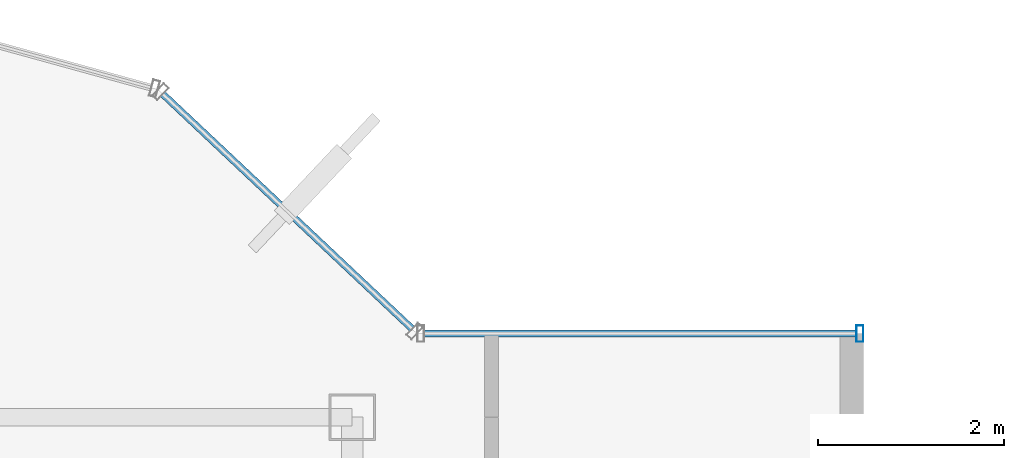
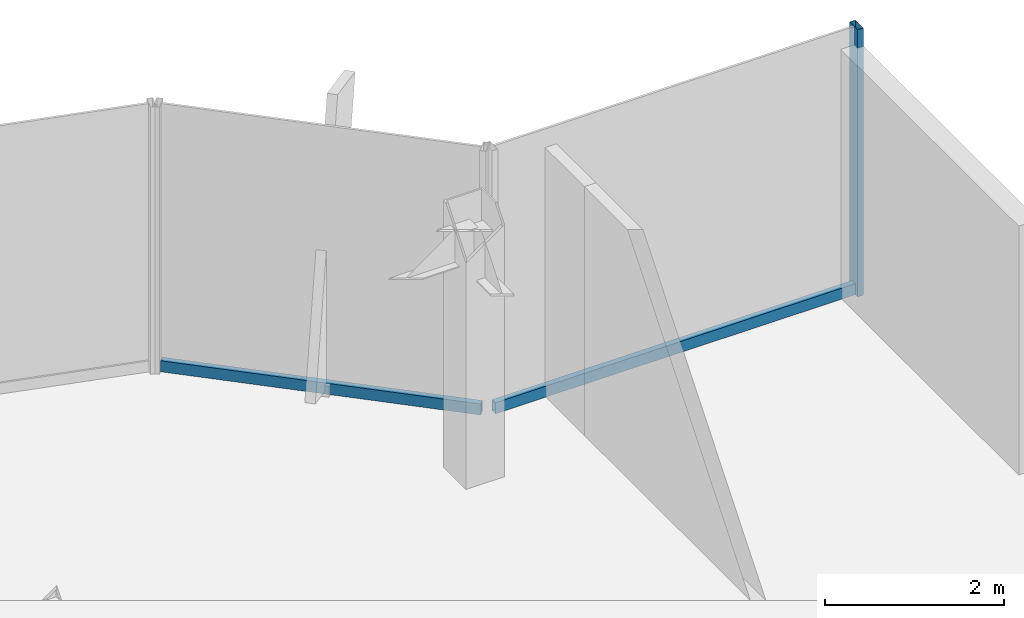
# One storey, part 15 of 22: 3 members, 2 elements without a shape of their own.
"""IFC4 building model written with IfcOpenShell, lengths in metres."""

import ifcopenshell
import ifcopenshell.guid

model = None  # the IFC model being written
_history = None  # IfcOwnerHistory: only IFC2X3 demands one
_inside = {}  # id of a spatial element -> (the spatial element, [elements in it])
_under = {}  # id of a project, library or spatial element -> (it, [spatial elements below it])
_declared = {}  # id of a project -> (the project, [libraries it declares])
_typed = {}  # id of a type object -> (the type object, [elements of that type])
_made_of = {}  # id of a material, layer set ... -> (it, [elements and type objects made of it])


def new_model(schema):
    """Start an empty IFC model of exactly this schema.

    Asked for "IFC4X3", IfcOpenShell would pick the latest addendum, in which some entities
    have other attributes; the version numbers below select the first issue.
    IFC2X3 requires an IfcOwnerHistory on every rooted entity: one is made here for all.
    """
    global model, _history
    if schema == "IFC4X3":
        model = ifcopenshell.file(schema_version=(4, 3, 0, 0))
    else:
        model = ifcopenshell.file(schema=schema)
    _inside.clear()
    _under.clear()
    _declared.clear()
    _typed.clear()
    _made_of.clear()
    _history = None
    if model.schema == "IFC2X3":
        org = make("IfcOrganization", Name="unknown")
        user = make(
            "IfcPersonAndOrganization",
            ThePerson=make("IfcPerson", FamilyName="unknown"),
            TheOrganization=org,
        )
        app = make(
            "IfcApplication",
            ApplicationDeveloper=org,
            Version="unknown",
            ApplicationFullName="unknown",
            ApplicationIdentifier="unknown",
        )
        _history = make(
            "IfcOwnerHistory",
            OwningUser=user,
            OwningApplication=app,
            ChangeAction="ADDED",
            CreationDate=0,
        )
    return model


def make(cls, **values):
    """One entity of the class cls with the attributes given. An attribute that is None is left unset."""
    return model.create_entity(
        cls, **{name: value for name, value in values.items() if value is not None}
    )


def rooted(cls, **values):
    """An entity with a GlobalId (a new one), such as an element, a storey or a relation."""
    return make(cls, GlobalId=ifcopenshell.guid.new(), OwnerHistory=_history, **values)


def si_unit(unit_type, name, prefix=None):
    """IfcSIUnit, for example si_unit("LENGTHUNIT", "METRE", prefix="MILLI")."""
    return make("IfcSIUnit", UnitType=unit_type, Prefix=prefix, Name=name)


def derived_unit(unit_type, elements):
    """IfcDerivedUnit: a product of units, each with its exponent."""
    return make(
        "IfcDerivedUnit",
        Elements=[
            make("IfcDerivedUnitElement", Unit=unit, Exponent=power)
            for unit, power in elements
        ],
        UnitType=unit_type,
    )


def assignment(units):
    """IfcUnitAssignment: the units of a project."""
    return None if units is None else make("IfcUnitAssignment", Units=units)


def point(xyz):
    """IfcCartesianPoint."""
    return None if xyz is None else make("IfcCartesianPoint", Coordinates=xyz)


def direction(xyz):
    """IfcDirection."""
    return None if xyz is None else make("IfcDirection", DirectionRatios=xyz)


def frame(location, z_axis=None, x_axis=None):
    """IfcAxis2Placement3D, a coordinate frame: its origin and axes. An axis left out is left unset."""
    return make(
        "IfcAxis2Placement3D",
        Location=point(location),
        Axis=direction(z_axis),
        RefDirection=direction(x_axis),
    )


def frame_2d(location, x_axis=None):
    """IfcAxis2Placement2D, a coordinate frame in the plane: its origin and x axis."""
    return make(
        "IfcAxis2Placement2D", Location=point(location), RefDirection=direction(x_axis)
    )


def origin():
    """The frame at (0, 0, 0) with its axes left unset."""
    return frame((0.0, 0.0, 0.0))


def origin_2d():
    """The frame at (0, 0) in the plane with its x axis left unset."""
    return frame_2d((0.0, 0.0))


def place(relative_to, where):
    """IfcLocalPlacement: puts the frame where relative to a parent placement (None: the world)."""
    return make(
        "IfcLocalPlacement", PlacementRelTo=relative_to, RelativePlacement=where
    )


def context(
    kind, dimensions, precision=None, world=None, true_north=None, identifier=None
):
    """IfcGeometricRepresentationContext, for example the 3D "Model" context."""
    return make(
        "IfcGeometricRepresentationContext",
        ContextIdentifier=identifier,
        ContextType=kind,
        CoordinateSpaceDimension=dimensions,
        Precision=precision,
        WorldCoordinateSystem=world,
        TrueNorth=true_north,
    )


def subcontext(parent, identifier, kind, view, scale=None):
    """IfcGeometricRepresentationSubContext, for example "Body" below "Model"."""
    return make(
        "IfcGeometricRepresentationSubContext",
        ContextIdentifier=identifier,
        ContextType=kind,
        ParentContext=parent,
        TargetScale=scale,
        TargetView=view,
    )


def project(units=None, contexts=None):
    """IfcProject with its units and contexts."""
    return rooted(
        "IfcProject",
        Name="project",
        RepresentationContexts=contexts,
        UnitsInContext=assignment(units),
    )


def spatial(cls, under=None, at=None, **own):
    """A site, building, storey or space (cls), placed at a placement, below another one or the project."""
    s = rooted(cls, ObjectPlacement=at, **own)
    if under is not None:
        _under.setdefault(under.id(), (under, []))[1].append(s)
    return s


def profile(cls, at=None, kind="AREA", **sizes):
    """A parametric profile (cls). Its sizes go by their IFC names, for example OverallWidth=200.0."""
    return make(cls, ProfileType=kind, Position=at, **sizes)


def hollow_rectangle(**sizes):
    """IfcRectangleHollowProfileDef."""
    return profile("IfcRectangleHollowProfileDef", **sizes)


def extrude(swept, where, along, depth):
    """IfcExtrudedAreaSolid: the profile swept, set in the frame where, extruded along a direction by depth."""
    return make(
        "IfcExtrudedAreaSolid",
        SweptArea=swept,
        Position=where,
        ExtrudedDirection=direction(along),
        Depth=depth,
    )


def shape(context_of_items, identifier, shape_type, items):
    """IfcShapeRepresentation: the items that make up one representation, for example the "Body"."""
    return make(
        "IfcShapeRepresentation",
        ContextOfItems=context_of_items,
        RepresentationIdentifier=identifier,
        RepresentationType=shape_type,
        Items=items,
    )


def source(mapping_origin, context_of_items, identifier, shape_type, items):
    """IfcRepresentationMap: a shape defined once, which mapped items show again and again."""
    return make(
        "IfcRepresentationMap",
        MappingOrigin=mapping_origin,
        MappedRepresentation=shape(context_of_items, identifier, shape_type, items),
    )


def transform(
    local_origin,
    x_axis=None,
    y_axis=None,
    z_axis=None,
    scale=None,
    scale2=None,
    scale3=None,
    uniform=True,
):
    """IfcCartesianTransformationOperator3D, or its non-uniform kind. x_axis, y_axis, z_axis: its Axis1, 2, 3."""
    if uniform:
        return make(
            "IfcCartesianTransformationOperator3D",
            Axis1=direction(x_axis),
            Axis2=direction(y_axis),
            LocalOrigin=point(local_origin),
            Scale=scale,
            Axis3=direction(z_axis),
        )
    return make(
        "IfcCartesianTransformationOperator3DnonUniform",
        Axis1=direction(x_axis),
        Axis2=direction(y_axis),
        LocalOrigin=point(local_origin),
        Scale=scale,
        Axis3=direction(z_axis),
        Scale2=scale2,
        Scale3=scale3,
    )


def mapped(mapping_source, mapping_target):
    """IfcMappedItem: shows the shape of a source again, moved by a transform."""
    return make(
        "IfcMappedItem", MappingSource=mapping_source, MappingTarget=mapping_target
    )


def material(Name=None, Category=None):
    """IfcMaterial."""
    return make("IfcMaterial", Name=Name, Category=Category)


def material_profile(
    of_material, cross_section, Name=None, Category=None, Priority=None
):
    """IfcMaterialProfile: a cross section and its material."""
    return make(
        "IfcMaterialProfile",
        Name=Name,
        Material=of_material,
        Profile=cross_section,
        Priority=Priority,
        Category=Category,
    )


def profile_set(profiles, Name=None, composite=None):
    """IfcMaterialProfileSet."""
    return make(
        "IfcMaterialProfileSet",
        Name=Name,
        MaterialProfiles=profiles,
        CompositeProfile=composite,
    )


def made_of(thing, what):
    """Note that an element or type object is made of a material, layer set ...; save() writes the relation."""
    if what is not None:
        _made_of.setdefault(what.id(), (what, []))[1].append(thing)
    return thing


def type_object(cls, material=None, **own):
    """A type object (cls), such as IfcWallType, which elements share."""
    return made_of(rooted(cls, **own), material)


def element(
    cls,
    number,
    at=None,
    inside=None,
    cuts=None,
    type_object=None,
    material=None,
    context=None,
    identifier="Body",
    shape_type=None,
    held_by="IfcProductDefinitionShape",
    body=None,
    shapes=None,
    **own,
):
    """One element of the class cls, such as IfcWall. Its Tag is "e" and its number.

    at: its placement. inside: the storey or other place that contains it. cuts: it is an
    opening in that element (IfcRelVoidsElement). A single representation is given by context,
    identifier, shape_type and body (its items); several are given by shapes. held_by: the class
    of the entity that holds the representations. save() writes the other relations.
    """
    e = rooted(cls, Tag="e%d" % number, ObjectPlacement=at, **own)
    if body is not None:
        shapes = [shape(context, identifier, shape_type, body)]
    if shapes is not None:
        e.Representation = make(held_by, Representations=shapes)
    if inside is not None:
        _inside.setdefault(inside.id(), (inside, []))[1].append(e)
    if cuts is not None:
        rooted(
            "IfcRelVoidsElement", RelatingBuildingElement=cuts, RelatedOpeningElement=e
        )
    if type_object is not None:
        _typed.setdefault(type_object.id(), (type_object, []))[1].append(e)
    return made_of(e, material)


def aggregate(whole, parts):
    """IfcRelAggregates: a whole, such as a stair, and the parts it consists of."""
    return rooted("IfcRelAggregates", RelatingObject=whole, RelatedObjects=parts)


def save(model, path):
    """Write the relations noted so far, then the file.

    IfcRelAggregates (storeys below a building ...), IfcRelContainedInSpatialStructure (elements
    in a storey), IfcRelDefinesByType, IfcRelAssociatesMaterial and IfcRelDeclares: one each for
    every whole, place, type object, material and project.
    """
    for whole, parts in _under.values():
        aggregate(whole, parts)
    for where, things in _inside.values():
        rooted(
            "IfcRelContainedInSpatialStructure",
            RelatedElements=things,
            RelatingStructure=where,
        )
    for kind, things in _typed.values():
        rooted("IfcRelDefinesByType", RelatedObjects=things, RelatingType=kind)
    for what, things in _made_of.values():
        rooted("IfcRelAssociatesMaterial", RelatedObjects=things, RelatingMaterial=what)
    for by, libraries in _declared.values():
        rooted("IfcRelDeclares", RelatingContext=by, RelatedDefinitions=libraries)
    model.write(path)


model = new_model("IFC4")

# Units and contexts
model_context = context("Model", 3, precision=1e-05, world=origin(), true_north=direction((0.0, 1.0)))
body_context = subcontext(model_context, "Body", "Model", "MODEL_VIEW")
ifc_project = project(units=[si_unit("LENGTHUNIT", "METRE"), si_unit("AREAUNIT", "SQUARE_METRE"), si_unit("VOLUMEUNIT", "CUBIC_METRE"), si_unit("PLANEANGLEUNIT", "RADIAN"), si_unit("MASSUNIT", "GRAM", prefix="KILO"), derived_unit("THERMALTRANSMITTANCEUNIT", [(si_unit("POWERUNIT", "WATT"), 1), (si_unit("LENGTHUNIT", "METRE"), -2), (si_unit("THERMODYNAMICTEMPERATUREUNIT", "KELVIN"), -1)])], contexts=[model_context])

# Site, building, storey
site_placement = place(None, origin())
site = spatial("IfcSite", under=ifc_project, at=site_placement, CompositionType="ELEMENT")
building_placement = place(site_placement, origin())
building = spatial("IfcBuilding", under=site, at=building_placement, Name="Skarnbrae Concourse Arena and Tower", CompositionType="ELEMENT")
storey_placement = place(building_placement, frame((0.0, 0.0, 277.050048828125)))
storey = spatial("IfcBuildingStorey", under=building, at=storey_placement, Name="L72", CompositionType="ELEMENT", Elevation=277.050048828125)

# Curtain wall, members
ifc_material = material(Name="Bronze anodised aluminium 6063-T6", Category="aluminium")
curtain_wall_type = type_object("IfcCurtainWallType", Name="CW-SYS-05-HIGHZONE", PredefinedType="USERDEFINED", material=ifc_material)
curtain_wall_1_placement = place(storey_placement, origin())
curtain_wall_1 = element("IfcCurtainWall", 1, at=curtain_wall_1_placement, inside=storey, type_object=curtain_wall_type, Name="L72 Unitised curtain wall CW-L72-E07", ObjectType="UNITISED CURTAIN WALL", PredefinedType="USERDEFINED")
ifc_material_profile_1 = material_profile(ifc_material, hollow_rectangle(XDim=0.074951171875, YDim=0.179931640625, WallThickness=0.00390625, at=origin_2d()), Name="ALU-MULL-75X180")
ifc_profile_set_1 = profile_set([ifc_material_profile_1], Name="Bronze anodised aluminium 6063-T6")
member_type_1 = type_object("IfcMemberType", Name="CWM-CW-05", PredefinedType="MULLION", material=ifc_profile_set_1)
shared_shape_1 = source(origin(), body_context, "Body", "SweptSolid", [
    extrude(hollow_rectangle(XDim=0.074951171875, YDim=0.179931640625, WallThickness=0.00390625, at=origin_2d()), origin(), (0.0, 0.0, 1.0), 3.64990234375),
])
member_1_placement = place(storey_placement, frame((38.96240234375, 35.300048828125, 0.0), z_axis=(0.0, 0.0, 1.0), x_axis=(-1.0, 0.0, 0.0)))
member_1 = element("IfcMember", 2, at=member_1_placement, type_object=member_type_1, Name="CW-L72-E07 Mullion 1", PredefinedType="MULLION", context=body_context, shape_type="MappedRepresentation", body=[
    mapped(shared_shape_1, transform((0.0, 0.0, 0.0))),
])
ifc_material_profile_2 = material_profile(ifc_material, hollow_rectangle(XDim=0.074951171875, YDim=0.14990234375, WallThickness=0.00390625, at=origin_2d()), Name="ALU-TRAN-75X150")
ifc_profile_set_2 = profile_set([ifc_material_profile_2], Name="Bronze anodised aluminium 6063-T6")
member_type_2 = type_object("IfcMemberType", Name="CWT-CW-05", PredefinedType="USERDEFINED", material=ifc_profile_set_2)
shared_shape_2 = source(origin(), body_context, "Body", "SweptSolid", [
    extrude(hollow_rectangle(XDim=0.074951171875, YDim=0.14990234375, WallThickness=0.00390625, at=origin_2d()), origin(), (0.0, 0.0, 1.0), 4.650146484375),
])
member_2_placement = place(storey_placement, frame((38.925048828125, 35.300048828125, 0.074951171875), z_axis=(-1.0, 0.0, 0.0), x_axis=(0.0, -1.0, 0.0)))
member_2 = element("IfcMember", 3, at=member_2_placement, type_object=member_type_2, Name="CW-L72-E07 Transom 1", ObjectType="TRANSOM", PredefinedType="USERDEFINED", context=body_context, shape_type="MappedRepresentation", body=[
    mapped(shared_shape_2, transform((0.0, 0.0, 0.0))),
])
aggregate(curtain_wall_1, [member_1, member_2])

# Curtain wall, member
curtain_wall_2_placement = place(storey_placement, origin())
curtain_wall_2 = element("IfcCurtainWall", 4, at=curtain_wall_2_placement, inside=storey, type_object=curtain_wall_type, Name="L72 Unitised curtain wall CW-L72-E08", ObjectType="UNITISED CURTAIN WALL", PredefinedType="USERDEFINED")
shared_shape_3 = source(origin(), body_context, "Body", "SweptSolid", [
    extrude(hollow_rectangle(XDim=0.074951171875, YDim=0.14990234375, WallThickness=0.00390625, at=origin_2d()), origin(), (0.0, 0.0, 1.0), 3.68212890625),
])
member_3_placement = place(storey_placement, frame((34.1455078125, 35.351318359375, 0.074951171875), z_axis=(-0.728133808476, 0.685435012933, 0.0), x_axis=(-0.685435012933, -0.728133808476, 0.0)))
member_3 = element("IfcMember", 5, at=member_3_placement, type_object=member_type_2, Name="CW-L72-E08 Transom 1", ObjectType="TRANSOM", PredefinedType="USERDEFINED", context=body_context, shape_type="MappedRepresentation", body=[
    mapped(shared_shape_3, transform((0.0, 0.0, 0.0))),
])
aggregate(curtain_wall_2, [member_3])

save(model, "model.ifc")
